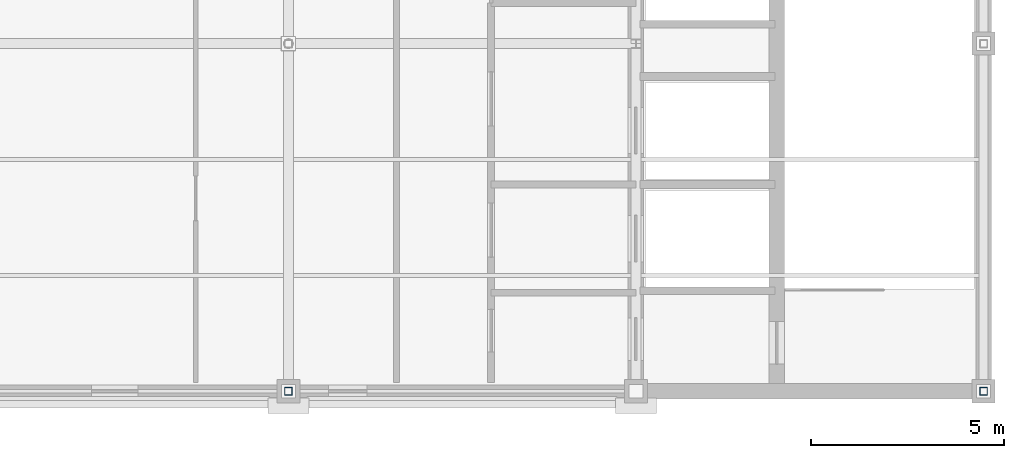
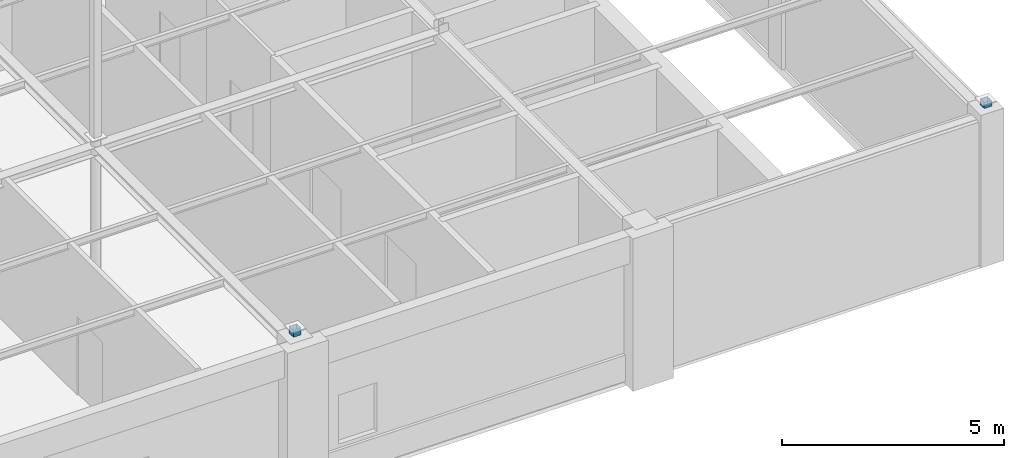
# One storey, part 9 of 13: 2 members.
"""IFC4 building model written with IfcOpenShell, lengths in metres."""

from ifc_helpers import new_model, si_unit, direction, frame, origin, origin_2d, place, context, subcontext, project, spatial, hollow_rectangle, extrude, material, material_profile, profile_set, type_object, element, save


model = new_model("IFC4")

# Units and contexts
model_context = context("Model", 3, precision=1e-05, world=origin(), true_north=direction((0.0, 1.0)))
body_context = subcontext(model_context, "Body", "Model", "MODEL_VIEW")
ifc_project = project(units=[si_unit("LENGTHUNIT", "METRE"), si_unit("AREAUNIT", "SQUARE_METRE"), si_unit("VOLUMEUNIT", "CUBIC_METRE"), si_unit("PLANEANGLEUNIT", "RADIAN"), si_unit("MASSUNIT", "GRAM", prefix="KILO")], contexts=[model_context])

# Site, building, storey
site_placement = place(None, origin())
site = spatial("IfcSite", under=ifc_project, at=site_placement, CompositionType="ELEMENT")
building_placement = place(site_placement, origin())
building = spatial("IfcBuilding", under=site, at=building_placement, Name="Lykobir Media Centre", CompositionType="ELEMENT")
storey_placement = place(building_placement, frame((0.0, 0.0, 36.0)))
storey = spatial("IfcBuildingStorey", under=building, at=storey_placement, Name="L08", CompositionType="ELEMENT", Elevation=36.0)

# Members
ifc_material = material(Name="Steel S355", Category="steel")
ifc_material_profile = material_profile(ifc_material, hollow_rectangle(XDim=0.199951171875, YDim=0.199951171875, WallThickness=0.010009765625, at=origin_2d()), Name="SHS 200x200x10")
ifc_profile_set = profile_set([ifc_material_profile], Name="Steel S355")
member_type = type_object("IfcMemberType", Name="TC-SHS200", PredefinedType="CHORD", material=ifc_profile_set)
member_1_placement = place(storey_placement, frame((63.0, 0.0, 4.199951171875), z_axis=(0.0, 0.0, 1.0), x_axis=(1.0, 0.0, 0.0)))
element("IfcMember", 1, at=member_1_placement, inside=storey, type_object=member_type, Name="Truss chord MEM2-L08-0630-0000-0402-0630-0000-0052", PredefinedType="CHORD", context=body_context, shape_type="SweptSolid", body=[
    extrude(hollow_rectangle(XDim=0.199951171875, YDim=0.199951171875, WallThickness=0.010009765625, at=origin_2d()), origin(), (0.0, 0.0, 1.0), 0.191650390625),
])
member_2_placement = place(storey_placement, frame((81.0, 0.0, 4.199951171875), z_axis=(0.0, 0.0, 1.0), x_axis=(1.0, 0.0, 0.0)))
element("IfcMember", 2, at=member_2_placement, inside=storey, type_object=member_type, Name="Truss chord MEM2-L08-0810-0000-0402-0810-0000-0055", PredefinedType="CHORD", context=body_context, shape_type="SweptSolid", body=[
    extrude(hollow_rectangle(XDim=0.199951171875, YDim=0.199951171875, WallThickness=0.010009765625, at=origin_2d()), origin(), (0.0, 0.0, 1.0), 0.15478515625),
])

save(model, "model.ifc")
